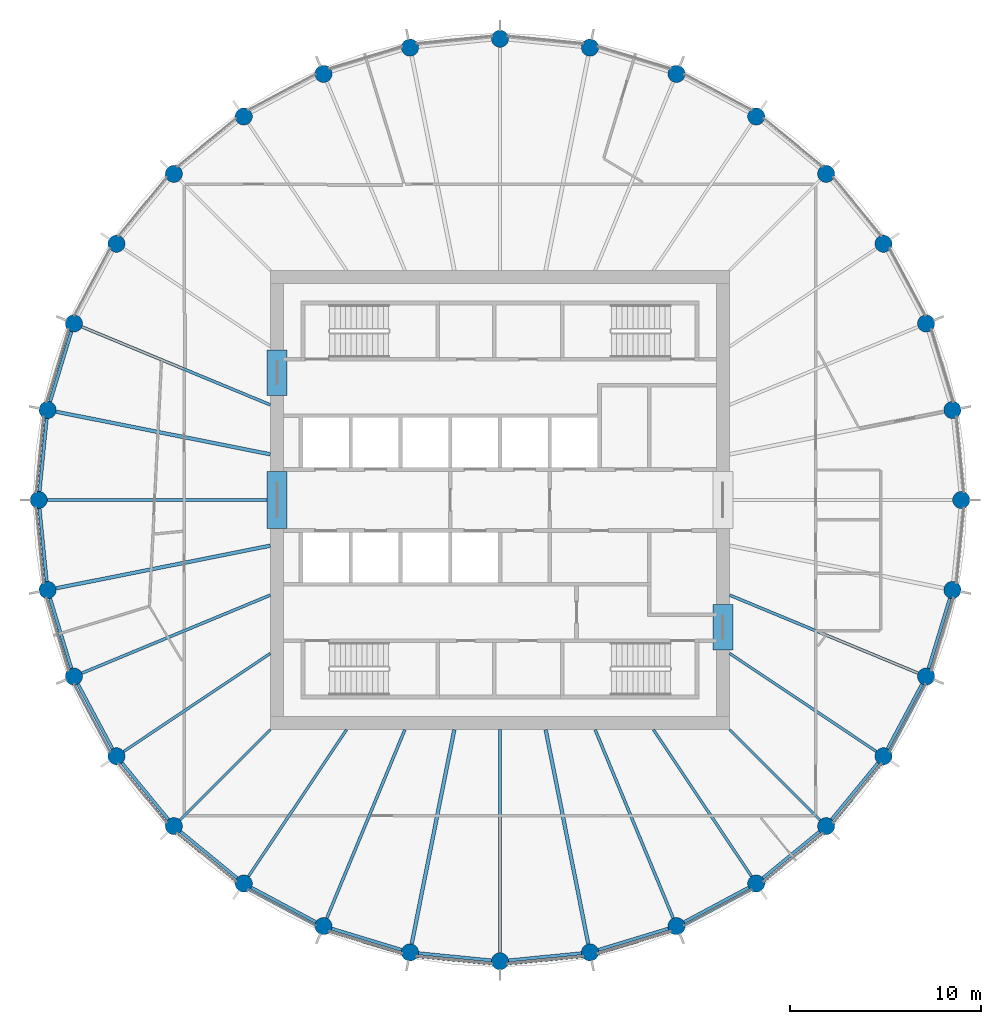
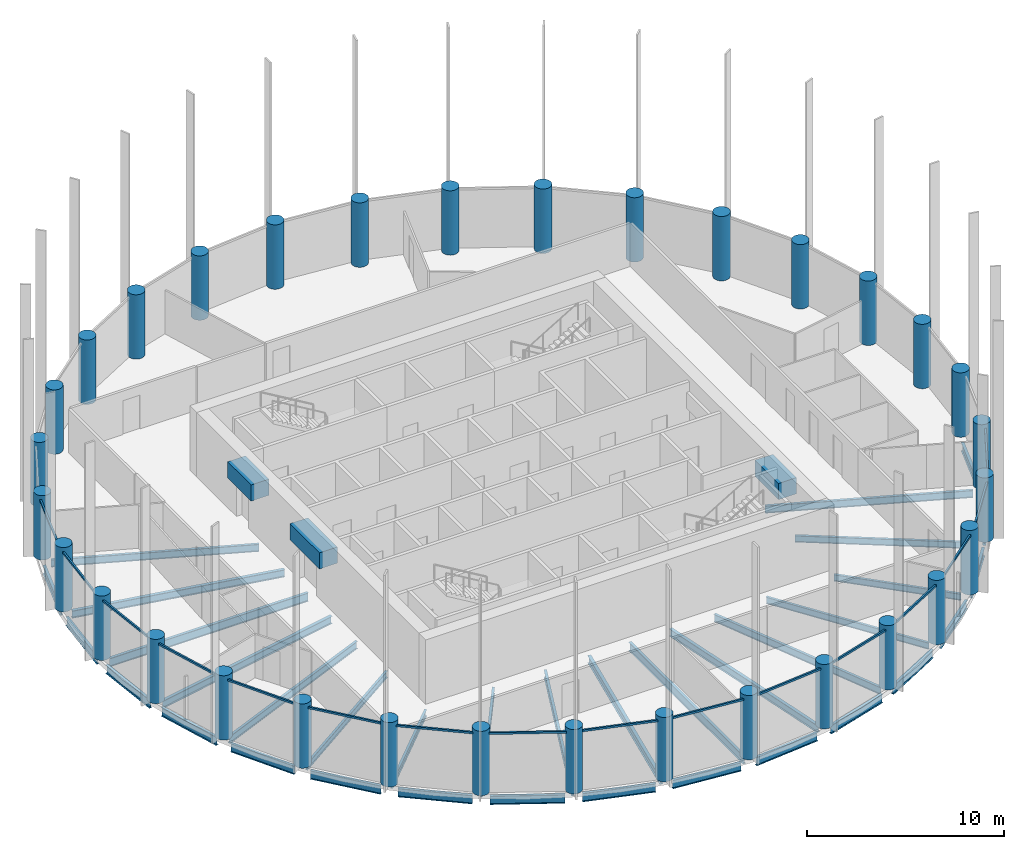
# One storey, part 1 of 7: 37 beams, 32 columns, 16 members, 16 elements without a shape of their own.
"""IFC4 building model written with IfcOpenShell, lengths in metres."""

from ifc_helpers import new_model, si_unit, direction, frame, origin, origin_2d, place, context, subcontext, project, spatial, rectangle, circle, i_section, extrude, material, material_profile, profile_set, type_object, element, aggregate, save


model = new_model("IFC4")

# Units and contexts
model_context = context("Model", 3, precision=1e-05, world=origin(), true_north=direction((0.0, 1.0)))
body_context = subcontext(model_context, "Body", "Model", "MODEL_VIEW")
ifc_project = project(units=[si_unit("LENGTHUNIT", "METRE"), si_unit("AREAUNIT", "SQUARE_METRE"), si_unit("VOLUMEUNIT", "CUBIC_METRE"), si_unit("PLANEANGLEUNIT", "RADIAN"), si_unit("MASSUNIT", "GRAM", prefix="KILO")], contexts=[model_context])

# Site, building, storey
site_placement = place(None, origin())
site = spatial("IfcSite", under=ifc_project, at=site_placement, CompositionType="ELEMENT")
building_placement = place(site_placement, origin())
building = spatial("IfcBuilding", under=site, at=building_placement, Name="Corvane Civic Tower", CompositionType="ELEMENT")
storey_placement = place(building_placement, frame((0.0, 0.0, 311.0)))
storey = spatial("IfcBuildingStorey", under=building, at=storey_placement, Name="L74", CompositionType="ELEMENT", Elevation=311.0)

# Columns
ifc_material_1 = material(Name="Concrete C60/75", Category="concrete")
ifc_material_profile_1 = material_profile(ifc_material_1, circle(Radius=0.449951171875, at=origin_2d()), Name="COLUMN 900")
ifc_profile_set_1 = profile_set([ifc_material_profile_1], Name="Concrete C60/75")
column_type = type_object("IfcColumnType", Name="RC COLUMN COLUMN 900", PredefinedType="COLUMN", material=ifc_profile_set_1)
for number, where, z_axis, x_axis, name in (
    (1, (0.0, 24.10009765625, 0.0), (0.0, 0.0, 1.0), (1.0, 0.0, 0.0), "COL-L74-E01"),
    (2, (4.70166015625, 23.636962890625, 0.0), (0.0, 0.0, 1.0), (1.0, 0.0, 0.0), "COL-L74-E02"),
    (3, (9.22265625, 22.265380859375, 0.0), (0.0, 0.0, 1.0), (1.0, 0.0, 0.0), "COL-L74-E03"),
    (4, (13.38916015625, 20.038330078125, 0.0), (0.0, 0.0, 1.0), (1.0, 0.0, 0.0), "COL-L74-E04"),
    (5, (17.041259765625, 17.041259765625, 0.0), (0.0, 0.0, 1.0), (1.0, 0.0, 0.0), "COL-L74-E05"),
    (6, (20.038330078125, 13.38916015625, 0.0), (0.0, 0.0, 1.0), (1.0, 0.0, 0.0), "COL-L74-E06"),
    (7, (22.265380859375, 9.22265625, 0.0), (0.0, 0.0, 1.0), (1.0, 0.0, 0.0), "COL-L74-E07"),
    (8, (23.636962890625, 4.70166015625, 0.0), (0.0, 0.0, 1.0), (1.0, 0.0, 0.0), "COL-L74-E08"),
    (9, (24.10009765625, 0.0, 0.0), (0.0, 0.0, 1.0), (1.0, 0.0, 0.0), "COL-L74-E09"),
    (10, (23.636962890625, -4.70166015625, 0.0), (0.0, 0.0, 1.0), (1.0, 0.0, 0.0), "COL-L74-E10"),
    (11, (22.265380859375, -9.22265625, 0.0), (0.0, 0.0, 1.0), (1.0, 0.0, 0.0), "COL-L74-E11"),
    (12, (20.038330078125, -13.38916015625, 0.0), (0.0, 0.0, 1.0), (1.0, 0.0, 0.0), "COL-L74-E12"),
    (13, (17.041259765625, -17.041259765625, 0.0), (0.0, 0.0, 1.0), (1.0, 0.0, 0.0), "COL-L74-E13"),
    (14, (13.38916015625, -20.038330078125, 0.0), (0.0, 0.0, 1.0), (1.0, 0.0, 0.0), "COL-L74-E14"),
    (15, (9.22265625, -22.265380859375, 0.0), (0.0, 0.0, 1.0), (1.0, 0.0, 0.0), "COL-L74-E15"),
    (16, (4.70166015625, -23.636962890625, 0.0), (0.0, 0.0, 1.0), (1.0, 0.0, 0.0), "COL-L74-E16"),
    (17, (0.0, -24.10009765625, 0.0), (0.0, 0.0, 1.0), (1.0, 0.0, 0.0), "COL-L74-E17"),
    (18, (-4.70166015625, -23.636962890625, 0.0), (0.0, 0.0, 1.0), (1.0, 0.0, 0.0), "COL-L74-E18"),
    (19, (-9.22265625, -22.265380859375, 0.0), (0.0, 0.0, 1.0), (1.0, 0.0, 0.0), "COL-L74-E19"),
    (20, (-13.38916015625, -20.038330078125, 0.0), (0.0, 0.0, 1.0), (1.0, 0.0, 0.0), "COL-L74-E20"),
    (21, (-17.041259765625, -17.041259765625, 0.0), (0.0, 0.0, 1.0), (1.0, 0.0, 0.0), "COL-L74-E21"),
    (22, (-20.038330078125, -13.38916015625, 0.0), (0.0, 0.0, 1.0), (1.0, 0.0, 0.0), "COL-L74-E22"),
    (23, (-22.265380859375, -9.22265625, 0.0), (0.0, 0.0, 1.0), (1.0, 0.0, 0.0), "COL-L74-E23"),
    (24, (-23.636962890625, -4.70166015625, 0.0), (0.0, 0.0, 1.0), (1.0, 0.0, 0.0), "COL-L74-E24"),
    (25, (-24.10009765625, 0.0, 0.0), (0.0, 0.0, 1.0), (1.0, 0.0, 0.0), "COL-L74-E25"),
    (26, (-23.636962890625, 4.70166015625, 0.0), (0.0, 0.0, 1.0), (1.0, 0.0, 0.0), "COL-L74-E26"),
    (27, (-22.265380859375, 9.22265625, 0.0), (0.0, 0.0, 1.0), (1.0, 0.0, 0.0), "COL-L74-E27"),
    (28, (-20.038330078125, 13.38916015625, 0.0), (0.0, 0.0, 1.0), (1.0, 0.0, 0.0), "COL-L74-E28"),
    (29, (-17.041259765625, 17.041259765625, 0.0), (0.0, 0.0, 1.0), (1.0, 0.0, 0.0), "COL-L74-E29"),
    (30, (-13.38916015625, 20.038330078125, 0.0), (0.0, 0.0, 1.0), (1.0, 0.0, 0.0), "COL-L74-E30"),
    (31, (-9.22265625, 22.265380859375, 0.0), (0.0, 0.0, 1.0), (1.0, 0.0, 0.0), "COL-L74-E31"),
    (32, (-4.70166015625, 23.636962890625, 0.0), (0.0, 0.0, 1.0), (1.0, 0.0, 0.0), "COL-L74-E32"),
):
    element("IfcColumn", number, at=place(storey_placement, frame(where, z_axis=z_axis, x_axis=x_axis)), inside=storey, type_object=column_type, Name=name, PredefinedType="COLUMN", context=body_context, shape_type="SweptSolid", body=[
        extrude(circle(Radius=0.449951171875, at=origin_2d()), origin(), (0.0, 0.0, 1.0), 4.0),
    ])

# Beams
ifc_material_2 = material(Name="Concrete C40/50", Category="concrete")
ifc_material_profile_2 = material_profile(ifc_material_2, rectangle(XDim=1.050048828125, YDim=1.0, at=origin_2d()), Name="COUPLING BEAM 1050X1000")
ifc_profile_set_2 = profile_set([ifc_material_profile_2], Name="Concrete C40/50")
beam_type_1 = type_object("IfcBeamType", Name="COUPLING BEAM COUPLING BEAM 1050X1000", PredefinedType="BEAM", material=ifc_profile_set_2)
beam_1_placement = place(storey_placement, frame((-11.64990234375, -1.5, 2.60009765625), z_axis=(0.0, 1.0, 0.0), x_axis=(-1.0, 0.0, 0.0)))
element("IfcBeam", 33, at=beam_1_placement, inside=storey, type_object=beam_type_1, Name="BM-L74-cpl-CW-LW", PredefinedType="BEAM", context=body_context, shape_type="SweptSolid", body=[
    extrude(rectangle(XDim=1.050048828125, YDim=1.0, at=origin_2d()), origin(), (0.0, 0.0, 1.0), 3.0),
])
for number, where, z_axis, x_axis, name in (
    (34, (-11.64990234375, 5.449951171875, 2.60009765625), (0.0, 1.0, 0.0), (-1.0, 0.0, 0.0), "BM-L74-cpl-CW-WN"),
    (35, (11.64990234375, -7.85009765625, 2.60009765625), (0.0, 1.0, 0.0), (-1.0, 0.0, 0.0), "BM-L74-cpl-CW-ES"),
):
    element("IfcBeam", number, at=place(storey_placement, frame(where, z_axis=z_axis, x_axis=x_axis)), inside=storey, type_object=beam_type_1, Name=name, PredefinedType="BEAM", context=body_context, shape_type="SweptSolid", body=[
        extrude(rectangle(XDim=1.050048828125, YDim=1.0, at=origin_2d()), origin(), (0.0, 0.0, 1.0), 2.400146484375),
    ])
ifc_material_3 = material(Name="Steel ASTM A992 Gr 50", Category="steel")
ifc_material_profile_3 = material_profile(ifc_material_3, i_section(OverallWidth=0.165771484375, OverallDepth=0.5283203125, WebThickness=0.009765625, FlangeThickness=0.013671875, at=origin_2d()), Name="W21X50")
ifc_profile_set_3 = profile_set([ifc_material_profile_3], Name="Steel ASTM A992 Gr 50")
beam_type_2 = type_object("IfcBeamType", Name="EDGE BEAM W21X50", PredefinedType="BEAM", material=ifc_profile_set_3)
beam_2_placement = place(storey_placement, frame((23.50634765625, -5.13232421875, -0.564208984375), z_axis=(-0.290333385085, -0.95692555902, 0.0), x_axis=(0.95692555902, -0.290333385085, 0.0)))
element("IfcBeam", 36, at=beam_2_placement, inside=storey, type_object=beam_type_2, Name="BM-L74-E10", PredefinedType="BEAM", context=body_context, shape_type="SweptSolid", body=[
    extrude(i_section(OverallWidth=0.165771484375, OverallDepth=0.5283203125, WebThickness=0.009765625, FlangeThickness=0.013671875, at=origin_2d()), origin(), (0.0, 0.0, 1.0), 3.824462890625),
])
beam_3_placement = place(storey_placement, frame((22.05322265625, -9.61962890625, -0.564208984375), z_axis=(-0.471409804487, -0.881914279413, 0.0), x_axis=(0.881914279413, -0.471409804487, 0.0)))
element("IfcBeam", 37, at=beam_3_placement, inside=storey, type_object=beam_type_2, Name="BM-L74-E11", PredefinedType="BEAM", context=body_context, shape_type="SweptSolid", body=[
    extrude(i_section(OverallWidth=0.165771484375, OverallDepth=0.5283203125, WebThickness=0.009765625, FlangeThickness=0.013671875, at=origin_2d()), origin(), (0.0, 0.0, 1.0), 3.82421875),
])
for number, where, z_axis, x_axis, name in (
    (38, (19.7529296875, -13.737060546875, -0.564208984375), (-0.634408562057, -0.772997914867, 0.0), (0.772997914867, -0.634408562057, 0.0), "BM-L74-E12"),
    (39, (16.693359375, -17.32666015625, -0.564208984375), (-0.772997914867, -0.634408562057, 0.0), (0.634408562057, -0.772997914867, 0.0), "BM-L74-E13"),
):
    element("IfcBeam", number, at=place(storey_placement, frame(where, z_axis=z_axis, x_axis=x_axis)), inside=storey, type_object=beam_type_2, Name=name, PredefinedType="BEAM", context=body_context, shape_type="SweptSolid", body=[
        extrude(i_section(OverallWidth=0.165771484375, OverallDepth=0.5283203125, WebThickness=0.009765625, FlangeThickness=0.013671875, at=origin_2d()), origin(), (0.0, 0.0, 1.0), 3.824462890625),
    ])
beam_4_placement = place(storey_placement, frame((12.9921875, -20.25048828125, -0.564208984375), z_axis=(-0.881914279413, -0.471409804487, 0.0), x_axis=(0.471409804487, -0.881914279413, 0.0)))
element("IfcBeam", 40, at=beam_4_placement, inside=storey, type_object=beam_type_2, Name="BM-L74-E14", PredefinedType="BEAM", context=body_context, shape_type="SweptSolid", body=[
    extrude(i_section(OverallWidth=0.165771484375, OverallDepth=0.5283203125, WebThickness=0.009765625, FlangeThickness=0.013671875, at=origin_2d()), origin(), (0.0, 0.0, 1.0), 3.82421875),
])
for number, where, z_axis, x_axis, name in (
    (41, (8.7919921875, -22.39599609375, -0.564208984375), (-0.95692555902, -0.290333385085, 0.0), (0.290333385085, -0.95692555902, 0.0), "BM-L74-E15"),
    (42, (4.25390625, -23.68115234375, -0.564208984375), (-0.995187721162, -0.097986732007, 0.0), (0.097986732007, -0.995187721162, 0.0), "BM-L74-E16"),
    (43, (-0.44775390625, -24.055908203125, -0.564208984375), (-0.995187721162, 0.097986732007, 0.0), (-0.097986732007, -0.995187721162, 0.0), "BM-L74-E17"),
    (44, (-5.13232421875, -23.50634765625, -0.564208984375), (-0.95692555902, 0.290333385085, 0.0), (-0.290333385085, -0.95692555902, 0.0), "BM-L74-E18"),
):
    element("IfcBeam", number, at=place(storey_placement, frame(where, z_axis=z_axis, x_axis=x_axis)), inside=storey, type_object=beam_type_2, Name=name, PredefinedType="BEAM", context=body_context, shape_type="SweptSolid", body=[
        extrude(i_section(OverallWidth=0.165771484375, OverallDepth=0.5283203125, WebThickness=0.009765625, FlangeThickness=0.013671875, at=origin_2d()), origin(), (0.0, 0.0, 1.0), 3.824462890625),
    ])
beam_5_placement = place(storey_placement, frame((-9.61962890625, -22.05322265625, -0.564208984375), z_axis=(-0.881914279413, 0.471409804487, 0.0), x_axis=(-0.471409804487, -0.881914279413, 0.0)))
element("IfcBeam", 45, at=beam_5_placement, inside=storey, type_object=beam_type_2, Name="BM-L74-E19", PredefinedType="BEAM", context=body_context, shape_type="SweptSolid", body=[
    extrude(i_section(OverallWidth=0.165771484375, OverallDepth=0.5283203125, WebThickness=0.009765625, FlangeThickness=0.013671875, at=origin_2d()), origin(), (0.0, 0.0, 1.0), 3.82421875),
])
for number, where, z_axis, x_axis, name in (
    (46, (-13.737060546875, -19.7529296875, -0.564208984375), (-0.772997914867, 0.634408562057, 0.0), (-0.634408562057, -0.772997914867, 0.0), "BM-L74-E20"),
    (47, (-17.32666015625, -16.693359375, -0.564208984375), (-0.634408562057, 0.772997914867, 0.0), (-0.772997914867, -0.634408562057, 0.0), "BM-L74-E21"),
):
    element("IfcBeam", number, at=place(storey_placement, frame(where, z_axis=z_axis, x_axis=x_axis)), inside=storey, type_object=beam_type_2, Name=name, PredefinedType="BEAM", context=body_context, shape_type="SweptSolid", body=[
        extrude(i_section(OverallWidth=0.165771484375, OverallDepth=0.5283203125, WebThickness=0.009765625, FlangeThickness=0.013671875, at=origin_2d()), origin(), (0.0, 0.0, 1.0), 3.824462890625),
    ])
beam_6_placement = place(storey_placement, frame((-20.25048828125, -12.9921875, -0.564208984375), z_axis=(-0.471409804487, 0.881914279413, 0.0), x_axis=(-0.881914279413, -0.471409804487, 0.0)))
element("IfcBeam", 48, at=beam_6_placement, inside=storey, type_object=beam_type_2, Name="BM-L74-E22", PredefinedType="BEAM", context=body_context, shape_type="SweptSolid", body=[
    extrude(i_section(OverallWidth=0.165771484375, OverallDepth=0.5283203125, WebThickness=0.009765625, FlangeThickness=0.013671875, at=origin_2d()), origin(), (0.0, 0.0, 1.0), 3.82421875),
])
for number, where, z_axis, x_axis, name in (
    (49, (-22.39599609375, -8.7919921875, -0.564208984375), (-0.290333385085, 0.95692555902, 0.0), (-0.95692555902, -0.290333385085, 0.0), "BM-L74-E23"),
    (50, (-23.68115234375, -4.25390625, -0.564208984375), (-0.097986732007, 0.995187721162, 0.0), (-0.995187721162, -0.097986732007, 0.0), "BM-L74-E24"),
    (51, (-24.055908203125, 0.44775390625, -0.564208984375), (0.097986732007, 0.995187721162, 0.0), (-0.995187721162, 0.097986732007, 0.0), "BM-L74-E25"),
    (52, (-23.50634765625, 5.13232421875, -0.564208984375), (0.290333385085, 0.95692555902, 0.0), (-0.95692555902, 0.290333385085, 0.0), "BM-L74-E26"),
):
    element("IfcBeam", number, at=place(storey_placement, frame(where, z_axis=z_axis, x_axis=x_axis)), inside=storey, type_object=beam_type_2, Name=name, PredefinedType="BEAM", context=body_context, shape_type="SweptSolid", body=[
        extrude(i_section(OverallWidth=0.165771484375, OverallDepth=0.5283203125, WebThickness=0.009765625, FlangeThickness=0.013671875, at=origin_2d()), origin(), (0.0, 0.0, 1.0), 3.824462890625),
    ])
ifc_material_4 = material(Name="Steel ASTM A992 Gr 50", Category="steel")
ifc_material_profile_4 = material_profile(ifc_material_4, i_section(OverallWidth=0.140380859375, OverallDepth=0.40380859375, WebThickness=0.007080078125, FlangeThickness=0.01123046875, at=origin_2d()), Name="W16X31")
ifc_profile_set_4 = profile_set([ifc_material_profile_4], Name="Steel ASTM A992 Gr 50")
beam_type_3 = type_object("IfcBeamType", Name="FLOOR GIRDER W16X31", PredefinedType="BEAM", material=ifc_profile_set_4)
beam_7_placement = place(storey_placement, frame((12.0, -8.01806640625, -0.501953125), z_axis=(0.831471227061, -0.555567816355, 0.0), x_axis=(0.555567816355, 0.831471227061, 0.0)))
element("IfcBeam", 53, at=beam_7_placement, inside=storey, type_object=beam_type_3, Name="BM-L74-G12", PredefinedType="BEAM", context=body_context, shape_type="SweptSolid", body=[
    extrude(i_section(OverallWidth=0.140380859375, OverallDepth=0.40380859375, WebThickness=0.007080078125, FlangeThickness=0.01123046875, at=origin_2d()), origin(), (0.0, 0.0, 1.0), 9.2177734375),
])
beam_8_placement = place(storey_placement, frame((12.0, -12.0, -0.501953125), z_axis=(0.707106781187, -0.707106781187, 0.0), x_axis=(0.707106781187, 0.707106781187, 0.0)))
element("IfcBeam", 54, at=beam_8_placement, inside=storey, type_object=beam_type_3, Name="BM-L74-G13", PredefinedType="BEAM", context=body_context, shape_type="SweptSolid", body=[
    extrude(i_section(OverallWidth=0.140380859375, OverallDepth=0.40380859375, WebThickness=0.007080078125, FlangeThickness=0.01123046875, at=origin_2d()), origin(), (0.0, 0.0, 1.0), 6.679443359375),
])
for number, where, z_axis, x_axis, name in (
    (55, (8.01806640625, -12.0, -0.501953125), (0.555567816355, -0.831471227061, 0.0), (0.831471227061, 0.555567816355, 0.0), "BM-L74-G14"),
    (56, (-8.01806640625, -12.0, -0.501953125), (-0.555567816355, -0.831471227061, 0.0), (0.831471227061, -0.555567816355, 0.0), "BM-L74-G20"),
):
    element("IfcBeam", number, at=place(storey_placement, frame(where, z_axis=z_axis, x_axis=x_axis)), inside=storey, type_object=beam_type_3, Name=name, PredefinedType="BEAM", context=body_context, shape_type="SweptSolid", body=[
        extrude(i_section(OverallWidth=0.140380859375, OverallDepth=0.40380859375, WebThickness=0.007080078125, FlangeThickness=0.01123046875, at=origin_2d()), origin(), (0.0, 0.0, 1.0), 9.2177734375),
    ])
beam_9_placement = place(storey_placement, frame((-12.0, -12.0, -0.501953125), z_axis=(-0.707106781187, -0.707106781187, 0.0), x_axis=(0.707106781187, -0.707106781187, 0.0)))
element("IfcBeam", 57, at=beam_9_placement, inside=storey, type_object=beam_type_3, Name="BM-L74-G21", PredefinedType="BEAM", context=body_context, shape_type="SweptSolid", body=[
    extrude(i_section(OverallWidth=0.140380859375, OverallDepth=0.40380859375, WebThickness=0.007080078125, FlangeThickness=0.01123046875, at=origin_2d()), origin(), (0.0, 0.0, 1.0), 6.679443359375),
])
beam_10_placement = place(storey_placement, frame((-12.0, -8.01806640625, -0.501953125), z_axis=(-0.831471227061, -0.555567816355, 0.0), x_axis=(0.555567816355, -0.831471227061, 0.0)))
element("IfcBeam", 58, at=beam_10_placement, inside=storey, type_object=beam_type_3, Name="BM-L74-G22", PredefinedType="BEAM", context=body_context, shape_type="SweptSolid", body=[
    extrude(i_section(OverallWidth=0.140380859375, OverallDepth=0.40380859375, WebThickness=0.007080078125, FlangeThickness=0.01123046875, at=origin_2d()), origin(), (0.0, 0.0, 1.0), 9.2177734375),
])
ifc_material_5 = material(Name="Steel ASTM A992 Gr 50", Category="steel")
ifc_material_profile_5 = material_profile(ifc_material_5, i_section(OverallWidth=0.15283203125, OverallDepth=0.45458984375, WebThickness=0.008056640625, FlangeThickness=0.013427734375, at=origin_2d()), Name="W18X40")
ifc_profile_set_5 = profile_set([ifc_material_profile_5], Name="Steel ASTM A992 Gr 50")
beam_type_4 = type_object("IfcBeamType", Name="FLOOR GIRDER W18X40", PredefinedType="BEAM", material=ifc_profile_set_5)
for number, where, z_axis, x_axis, name in (
    (59, (12.0, -4.970458984375, -0.52734375), (0.923875048589, -0.382694257331, 0.0), (0.382694257331, 0.923875048589, 0.0), "BM-L74-G11"),
    (60, (4.970458984375, -12.0, -0.52734375), (0.382694257331, -0.923875048589, 0.0), (0.923875048589, 0.382694257331, 0.0), "BM-L74-G15"),
    (61, (-4.970458984375, -12.0, -0.52734375), (-0.382694257331, -0.923875048589, 0.0), (0.923875048589, -0.382694257331, 0.0), "BM-L74-G19"),
    (62, (-12.0, -4.970458984375, -0.52734375), (-0.923875048589, -0.382694257331, 0.0), (0.382694257331, -0.923875048589, 0.0), "BM-L74-G23"),
    (63, (-12.0, 4.970458984375, -0.52734375), (-0.923875048589, 0.382694257331, 0.0), (-0.382694257331, -0.923875048589, 0.0), "BM-L74-G27"),
):
    element("IfcBeam", number, at=place(storey_placement, frame(where, z_axis=z_axis, x_axis=x_axis)), inside=storey, type_object=beam_type_4, Name=name, PredefinedType="BEAM", context=body_context, shape_type="SweptSolid", body=[
        extrude(i_section(OverallWidth=0.15283203125, OverallDepth=0.45458984375, WebThickness=0.008056640625, FlangeThickness=0.013427734375, at=origin_2d()), origin(), (0.0, 0.0, 1.0), 10.661376953125),
    ])
ifc_material_6 = material(Name="Steel ASTM A992 Gr 50", Category="steel")
ifc_material_profile_6 = material_profile(ifc_material_6, i_section(OverallWidth=0.1904296875, OverallDepth=0.457275390625, WebThickness=0.009033203125, FlangeThickness=0.014404296875, at=origin_2d()), Name="W18X50")
ifc_profile_set_6 = profile_set([ifc_material_profile_6], Name="Steel ASTM A992 Gr 50")
beam_type_5 = type_object("IfcBeamType", Name="FLOOR GIRDER W18X50", PredefinedType="BEAM", material=ifc_profile_set_6)
for number, where, z_axis, x_axis, name in (
    (64, (2.386962890625, -12.0, -0.528564453125), (0.195079532402, -0.980787426529, 0.0), (0.980787426529, 0.195079532402, 0.0), "BM-L74-G16"),
    (65, (-2.386962890625, -12.0, -0.528564453125), (-0.195079532402, -0.980787426529, 0.0), (0.980787426529, -0.195079532402, 0.0), "BM-L74-G18"),
    (66, (-12.0, -2.386962890625, -0.528564453125), (-0.980787426529, -0.195079532402, 0.0), (0.195079532402, -0.980787426529, 0.0), "BM-L74-G24"),
    (67, (-12.0, 2.386962890625, -0.528564453125), (-0.980787426529, 0.195079532402, 0.0), (-0.195079532402, -0.980787426529, 0.0), "BM-L74-G26"),
):
    element("IfcBeam", number, at=place(storey_placement, frame(where, z_axis=z_axis, x_axis=x_axis)), inside=storey, type_object=beam_type_5, Name=name, PredefinedType="BEAM", context=body_context, shape_type="SweptSolid", body=[
        extrude(i_section(OverallWidth=0.1904296875, OverallDepth=0.457275390625, WebThickness=0.009033203125, FlangeThickness=0.014404296875, at=origin_2d()), origin(), (0.0, 0.0, 1.0), 11.414794921875),
    ])
ifc_material_7 = material(Name="Steel ASTM A992 Gr 50", Category="steel")
ifc_material_profile_7 = material_profile(ifc_material_7, i_section(OverallWidth=0.165771484375, OverallDepth=0.5283203125, WebThickness=0.009765625, FlangeThickness=0.013671875, at=origin_2d()), Name="W21X50")
ifc_profile_set_7 = profile_set([ifc_material_profile_7], Name="Steel ASTM A992 Gr 50")
beam_type_6 = type_object("IfcBeamType", Name="FLOOR GIRDER W21X50", PredefinedType="BEAM", material=ifc_profile_set_7)
for number, where, z_axis, x_axis, name in (
    (68, (0.0, -12.0, -0.564208984375), (0.0, -1.0, 0.0), (1.0, 0.0, 0.0), "BM-L74-G17"),
    (69, (-12.0, 0.0, -0.564208984375), (-1.0, 0.0, 0.0), (0.0, -1.0, 0.0), "BM-L74-G25"),
):
    element("IfcBeam", number, at=place(storey_placement, frame(where, z_axis=z_axis, x_axis=x_axis)), inside=storey, type_object=beam_type_6, Name=name, PredefinedType="BEAM", context=body_context, shape_type="SweptSolid", body=[
        extrude(i_section(OverallWidth=0.165771484375, OverallDepth=0.5283203125, WebThickness=0.009765625, FlangeThickness=0.013671875, at=origin_2d()), origin(), (0.0, 0.0, 1.0), 11.64990234375),
    ])

# Curtain wall, member
ifc_material_8 = material(Name="Anodised aluminium bronze", Category="aluminium")
curtain_wall_type = type_object("IfcCurtainWallType", Name="TOWER CW-T3 STICK CURTAIN WALL", PredefinedType="NOTDEFINED", material=ifc_material_8)
curtain_wall_1_placement = place(storey_placement, origin())
curtain_wall_1 = element("IfcCurtainWall", 70, at=curtain_wall_1_placement, inside=storey, type_object=curtain_wall_type, Name="Curtain wall CW-T3 L74 bay 11", PredefinedType="NOTDEFINED")
ifc_material_9 = material(Name="Anodised aluminium bronze", Category="aluminium")
ifc_material_profile_8 = material_profile(ifc_material_9, rectangle(XDim=0.10009765625, YDim=0.1201171875, at=origin_2d()), Name="TOWER CW-T3 TRANSOM 100x120")
ifc_profile_set_8 = profile_set([ifc_material_profile_8], Name="Anodised aluminium bronze")
member_type = type_object("IfcMemberType", Name="TOWER CW-T3 TRANSOM 100x120", PredefinedType="USERDEFINED", material=ifc_profile_set_8)
member_1_placement = place(storey_placement, frame((22.2431640625, -9.644775390625, 3.68994140625), z_axis=(-0.471468241052, -0.881883040816, 0.0), x_axis=(0.881883040816, -0.471468241052, 0.0)))
member_1 = element("IfcMember", 71, at=member_1_placement, type_object=member_type, Name="Transom CW-T3 L74 11.1", ObjectType="TRANSOM", PredefinedType="USERDEFINED", context=body_context, shape_type="SweptSolid", body=[
    extrude(rectangle(XDim=0.10009765625, YDim=0.1201171875, at=origin_2d()), origin(), (0.0, 0.0, 1.0), 3.958740234375),
])
aggregate(curtain_wall_1, [member_1])

curtain_wall_2_placement = place(storey_placement, origin())
curtain_wall_2 = element("IfcCurtainWall", 72, at=curtain_wall_2_placement, inside=storey, type_object=curtain_wall_type, Name="Curtain wall CW-T3 L74 bay 12", PredefinedType="NOTDEFINED")
member_2_placement = place(storey_placement, frame((19.93408203125, -13.798828125, 3.68994140625), z_axis=(-0.634415838373, -0.772991943051, 0.0), x_axis=(0.772991943051, -0.634415838373, 0.0)))
member_2 = element("IfcMember", 73, at=member_2_placement, type_object=member_type, Name="Transom CW-T3 L74 12.1", ObjectType="TRANSOM", PredefinedType="USERDEFINED", context=body_context, shape_type="SweptSolid", body=[
    extrude(rectangle(XDim=0.10009765625, YDim=0.1201171875, at=origin_2d()), origin(), (0.0, 0.0, 1.0), 3.958740234375),
])
aggregate(curtain_wall_2, [member_2])

curtain_wall_3_placement = place(storey_placement, origin())
curtain_wall_3 = element("IfcCurtainWall", 74, at=curtain_wall_3_placement, inside=storey, type_object=curtain_wall_type, Name="Curtain wall CW-T3 L74 bay 13", PredefinedType="NOTDEFINED")
member_3_placement = place(storey_placement, frame((16.85888671875, -17.422607421875, 3.68994140625), z_axis=(-0.772991943051, -0.634415838373, 0.0), x_axis=(0.634415838373, -0.772991943051, 0.0)))
member_3 = element("IfcMember", 75, at=member_3_placement, type_object=member_type, Name="Transom CW-T3 L74 13.1", ObjectType="TRANSOM", PredefinedType="USERDEFINED", context=body_context, shape_type="SweptSolid", body=[
    extrude(rectangle(XDim=0.10009765625, YDim=0.1201171875, at=origin_2d()), origin(), (0.0, 0.0, 1.0), 3.958740234375),
])
aggregate(curtain_wall_3, [member_3])

curtain_wall_4_placement = place(storey_placement, origin())
curtain_wall_4 = element("IfcCurtainWall", 76, at=curtain_wall_4_placement, inside=storey, type_object=curtain_wall_type, Name="Curtain wall CW-T3 L74 bay 14", PredefinedType="NOTDEFINED")
member_4_placement = place(storey_placement, frame((13.135986328125, -20.376708984375, 3.68994140625), z_axis=(-0.881883040816, -0.471468241052, 0.0), x_axis=(0.471468241052, -0.881883040816, 0.0)))
member_4 = element("IfcMember", 77, at=member_4_placement, type_object=member_type, Name="Transom CW-T3 L74 14.1", ObjectType="TRANSOM", PredefinedType="USERDEFINED", context=body_context, shape_type="SweptSolid", body=[
    extrude(rectangle(XDim=0.10009765625, YDim=0.1201171875, at=origin_2d()), origin(), (0.0, 0.0, 1.0), 3.958740234375),
])
aggregate(curtain_wall_4, [member_4])

curtain_wall_5_placement = place(storey_placement, origin())
curtain_wall_5 = element("IfcCurtainWall", 78, at=curtain_wall_5_placement, inside=storey, type_object=curtain_wall_type, Name="Curtain wall CW-T3 L74 bay 15", PredefinedType="NOTDEFINED")
member_5_placement = place(storey_placement, frame((8.908447265625, -22.548095703125, 3.68994140625), z_axis=(-0.956946054205, -0.290265825309, 0.0), x_axis=(0.290265825309, -0.956946054205, 0.0)))
member_5 = element("IfcMember", 79, at=member_5_placement, type_object=member_type, Name="Transom CW-T3 L74 15.1", ObjectType="TRANSOM", PredefinedType="USERDEFINED", context=body_context, shape_type="SweptSolid", body=[
    extrude(rectangle(XDim=0.10009765625, YDim=0.1201171875, at=origin_2d()), origin(), (0.0, 0.0, 1.0), 3.958984375),
])
aggregate(curtain_wall_5, [member_5])

curtain_wall_6_placement = place(storey_placement, origin())
curtain_wall_6 = element("IfcCurtainWall", 80, at=curtain_wall_6_placement, inside=storey, type_object=curtain_wall_type, Name="Curtain wall CW-T3 L74 bay 16", PredefinedType="NOTDEFINED")
member_6_placement = place(storey_placement, frame((4.338134765625, -23.852783203125, 3.68994140625), z_axis=(-0.995186866683, -0.097995409999, 0.0), x_axis=(0.097995409999, -0.995186866683, 0.0)))
member_6 = element("IfcMember", 81, at=member_6_placement, type_object=member_type, Name="Transom CW-T3 L74 16.1", ObjectType="TRANSOM", PredefinedType="USERDEFINED", context=body_context, shape_type="SweptSolid", body=[
    extrude(rectangle(XDim=0.10009765625, YDim=0.1201171875, at=origin_2d()), origin(), (0.0, 0.0, 1.0), 3.958740234375),
])
aggregate(curtain_wall_6, [member_6])

curtain_wall_7_placement = place(storey_placement, origin())
curtain_wall_7 = element("IfcCurtainWall", 82, at=curtain_wall_7_placement, inside=storey, type_object=curtain_wall_type, Name="Curtain wall CW-T3 L74 bay 17", PredefinedType="NOTDEFINED")
member_7_placement = place(storey_placement, frame((-0.3984375, -24.24072265625, 3.68994140625), z_axis=(-0.995186866683, 0.097995409999, 0.0), x_axis=(-0.097995409999, -0.995186866683, 0.0)))
member_7 = element("IfcMember", 83, at=member_7_placement, type_object=member_type, Name="Transom CW-T3 L74 17.1", ObjectType="TRANSOM", PredefinedType="USERDEFINED", context=body_context, shape_type="SweptSolid", body=[
    extrude(rectangle(XDim=0.10009765625, YDim=0.1201171875, at=origin_2d()), origin(), (0.0, 0.0, 1.0), 3.958740234375),
])
aggregate(curtain_wall_7, [member_7])

curtain_wall_8_placement = place(storey_placement, origin())
curtain_wall_8 = element("IfcCurtainWall", 84, at=curtain_wall_8_placement, inside=storey, type_object=curtain_wall_type, Name="Curtain wall CW-T3 L74 bay 18", PredefinedType="NOTDEFINED")
member_8_placement = place(storey_placement, frame((-5.119873046875, -23.697265625, 3.68994140625), z_axis=(-0.956946054205, 0.290265825309, 0.0), x_axis=(-0.290265825309, -0.956946054205, 0.0)))
member_8 = element("IfcMember", 85, at=member_8_placement, type_object=member_type, Name="Transom CW-T3 L74 18.1", ObjectType="TRANSOM", PredefinedType="USERDEFINED", context=body_context, shape_type="SweptSolid", body=[
    extrude(rectangle(XDim=0.10009765625, YDim=0.1201171875, at=origin_2d()), origin(), (0.0, 0.0, 1.0), 3.958984375),
])
aggregate(curtain_wall_8, [member_8])

curtain_wall_9_placement = place(storey_placement, origin())
curtain_wall_9 = element("IfcCurtainWall", 86, at=curtain_wall_9_placement, inside=storey, type_object=curtain_wall_type, Name="Curtain wall CW-T3 L74 bay 19", PredefinedType="NOTDEFINED")
member_9_placement = place(storey_placement, frame((-9.644775390625, -22.2431640625, 3.68994140625), z_axis=(-0.881883040816, 0.471468241052, 0.0), x_axis=(-0.471468241052, -0.881883040816, 0.0)))
member_9 = element("IfcMember", 87, at=member_9_placement, type_object=member_type, Name="Transom CW-T3 L74 19.1", ObjectType="TRANSOM", PredefinedType="USERDEFINED", context=body_context, shape_type="SweptSolid", body=[
    extrude(rectangle(XDim=0.10009765625, YDim=0.1201171875, at=origin_2d()), origin(), (0.0, 0.0, 1.0), 3.958740234375),
])
aggregate(curtain_wall_9, [member_9])

curtain_wall_10_placement = place(storey_placement, origin())
curtain_wall_10 = element("IfcCurtainWall", 88, at=curtain_wall_10_placement, inside=storey, type_object=curtain_wall_type, Name="Curtain wall CW-T3 L74 bay 20", PredefinedType="NOTDEFINED")
member_10_placement = place(storey_placement, frame((-13.798828125, -19.93408203125, 3.68994140625), z_axis=(-0.772991943051, 0.634415838373, 0.0), x_axis=(-0.634415838373, -0.772991943051, 0.0)))
member_10 = element("IfcMember", 89, at=member_10_placement, type_object=member_type, Name="Transom CW-T3 L74 20.1", ObjectType="TRANSOM", PredefinedType="USERDEFINED", context=body_context, shape_type="SweptSolid", body=[
    extrude(rectangle(XDim=0.10009765625, YDim=0.1201171875, at=origin_2d()), origin(), (0.0, 0.0, 1.0), 3.958740234375),
])
aggregate(curtain_wall_10, [member_10])

curtain_wall_11_placement = place(storey_placement, origin())
curtain_wall_11 = element("IfcCurtainWall", 90, at=curtain_wall_11_placement, inside=storey, type_object=curtain_wall_type, Name="Curtain wall CW-T3 L74 bay 21", PredefinedType="NOTDEFINED")
member_11_placement = place(storey_placement, frame((-17.422607421875, -16.85888671875, 3.68994140625), z_axis=(-0.634415838373, 0.772991943051, 0.0), x_axis=(-0.772991943051, -0.634415838373, 0.0)))
member_11 = element("IfcMember", 91, at=member_11_placement, type_object=member_type, Name="Transom CW-T3 L74 21.1", ObjectType="TRANSOM", PredefinedType="USERDEFINED", context=body_context, shape_type="SweptSolid", body=[
    extrude(rectangle(XDim=0.10009765625, YDim=0.1201171875, at=origin_2d()), origin(), (0.0, 0.0, 1.0), 3.958740234375),
])
aggregate(curtain_wall_11, [member_11])

curtain_wall_12_placement = place(storey_placement, origin())
curtain_wall_12 = element("IfcCurtainWall", 92, at=curtain_wall_12_placement, inside=storey, type_object=curtain_wall_type, Name="Curtain wall CW-T3 L74 bay 22", PredefinedType="NOTDEFINED")
member_12_placement = place(storey_placement, frame((-20.376708984375, -13.135986328125, 3.68994140625), z_axis=(-0.471468241052, 0.881883040816, 0.0), x_axis=(-0.881883040816, -0.471468241052, 0.0)))
member_12 = element("IfcMember", 93, at=member_12_placement, type_object=member_type, Name="Transom CW-T3 L74 22.1", ObjectType="TRANSOM", PredefinedType="USERDEFINED", context=body_context, shape_type="SweptSolid", body=[
    extrude(rectangle(XDim=0.10009765625, YDim=0.1201171875, at=origin_2d()), origin(), (0.0, 0.0, 1.0), 3.958740234375),
])
aggregate(curtain_wall_12, [member_12])

curtain_wall_13_placement = place(storey_placement, origin())
curtain_wall_13 = element("IfcCurtainWall", 94, at=curtain_wall_13_placement, inside=storey, type_object=curtain_wall_type, Name="Curtain wall CW-T3 L74 bay 23", PredefinedType="NOTDEFINED")
member_13_placement = place(storey_placement, frame((-22.548095703125, -8.908447265625, 3.68994140625), z_axis=(-0.290265825309, 0.956946054205, 0.0), x_axis=(-0.956946054205, -0.290265825309, 0.0)))
member_13 = element("IfcMember", 95, at=member_13_placement, type_object=member_type, Name="Transom CW-T3 L74 23.1", ObjectType="TRANSOM", PredefinedType="USERDEFINED", context=body_context, shape_type="SweptSolid", body=[
    extrude(rectangle(XDim=0.10009765625, YDim=0.1201171875, at=origin_2d()), origin(), (0.0, 0.0, 1.0), 3.958984375),
])
aggregate(curtain_wall_13, [member_13])

curtain_wall_14_placement = place(storey_placement, origin())
curtain_wall_14 = element("IfcCurtainWall", 96, at=curtain_wall_14_placement, inside=storey, type_object=curtain_wall_type, Name="Curtain wall CW-T3 L74 bay 24", PredefinedType="NOTDEFINED")
member_14_placement = place(storey_placement, frame((-23.852783203125, -4.338134765625, 3.68994140625), z_axis=(-0.097995409999, 0.995186866683, 0.0), x_axis=(-0.995186866683, -0.097995409999, 0.0)))
member_14 = element("IfcMember", 97, at=member_14_placement, type_object=member_type, Name="Transom CW-T3 L74 24.1", ObjectType="TRANSOM", PredefinedType="USERDEFINED", context=body_context, shape_type="SweptSolid", body=[
    extrude(rectangle(XDim=0.10009765625, YDim=0.1201171875, at=origin_2d()), origin(), (0.0, 0.0, 1.0), 3.958740234375),
])
aggregate(curtain_wall_14, [member_14])

curtain_wall_15_placement = place(storey_placement, origin())
curtain_wall_15 = element("IfcCurtainWall", 98, at=curtain_wall_15_placement, inside=storey, type_object=curtain_wall_type, Name="Curtain wall CW-T3 L74 bay 25", PredefinedType="NOTDEFINED")
member_15_placement = place(storey_placement, frame((-24.24072265625, 0.3984375, 3.68994140625), z_axis=(0.097995409999, 0.995186866683, 0.0), x_axis=(-0.995186866683, 0.097995409999, 0.0)))
member_15 = element("IfcMember", 99, at=member_15_placement, type_object=member_type, Name="Transom CW-T3 L74 25.1", ObjectType="TRANSOM", PredefinedType="USERDEFINED", context=body_context, shape_type="SweptSolid", body=[
    extrude(rectangle(XDim=0.10009765625, YDim=0.1201171875, at=origin_2d()), origin(), (0.0, 0.0, 1.0), 3.958740234375),
])
aggregate(curtain_wall_15, [member_15])

curtain_wall_16_placement = place(storey_placement, origin())
curtain_wall_16 = element("IfcCurtainWall", 100, at=curtain_wall_16_placement, inside=storey, type_object=curtain_wall_type, Name="Curtain wall CW-T3 L74 bay 26", PredefinedType="NOTDEFINED")
member_16_placement = place(storey_placement, frame((-23.697265625, 5.119873046875, 3.68994140625), z_axis=(0.290265825309, 0.956946054205, 0.0), x_axis=(-0.956946054205, 0.290265825309, 0.0)))
member_16 = element("IfcMember", 101, at=member_16_placement, type_object=member_type, Name="Transom CW-T3 L74 26.1", ObjectType="TRANSOM", PredefinedType="USERDEFINED", context=body_context, shape_type="SweptSolid", body=[
    extrude(rectangle(XDim=0.10009765625, YDim=0.1201171875, at=origin_2d()), origin(), (0.0, 0.0, 1.0), 3.958984375),
])
aggregate(curtain_wall_16, [member_16])

save(model, "model.ifc")
